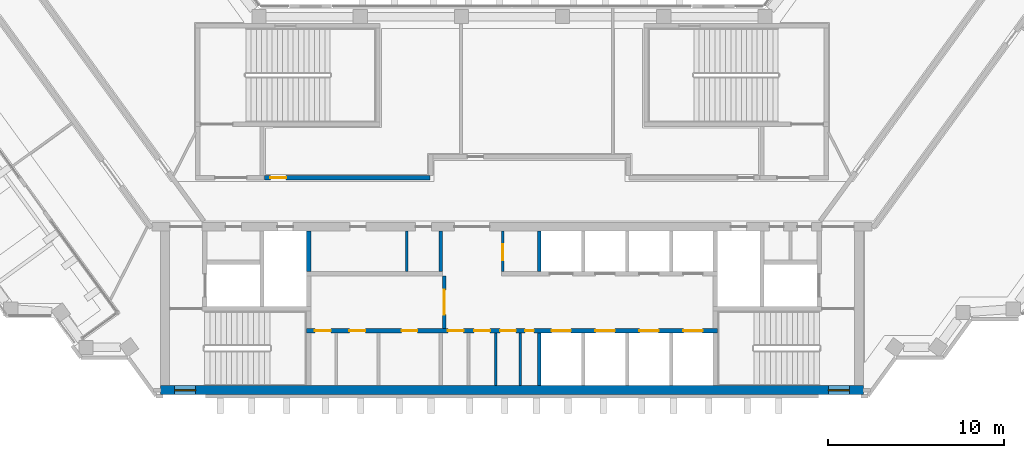
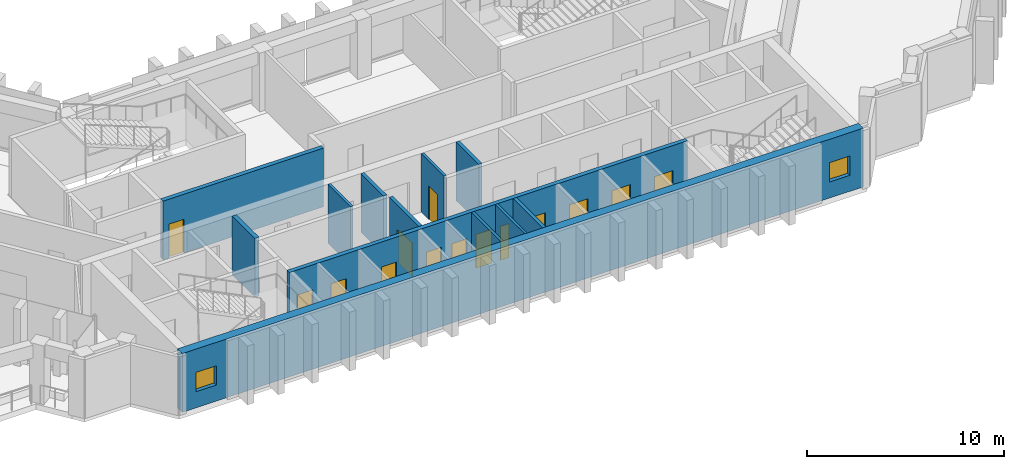
# One storey, part 6 of 12: 14 doors, 12 walls, 2 windows, 16 openings.
"""IFC4 building model written with IfcOpenShell, lengths in metres."""

from ifc_helpers import new_model, si_unit, direction, frame, frame_2d, origin, place, context, subcontext, project, spatial, rectangle, extrude, material, layer, layer_set, type_object, element, fill, save


model = new_model("IFC4")

# Units and contexts
model_context = context("Model", 3, precision=1e-05, world=origin(), true_north=direction((0.0, 1.0)))
body_context = subcontext(model_context, "Body", "Model", "MODEL_VIEW")
ifc_project = project(units=[si_unit("LENGTHUNIT", "METRE"), si_unit("AREAUNIT", "SQUARE_METRE"), si_unit("VOLUMEUNIT", "CUBIC_METRE"), si_unit("PLANEANGLEUNIT", "RADIAN"), si_unit("MASSUNIT", "GRAM", prefix="KILO")], contexts=[model_context])

# Site, building, storey
site_placement = place(None, origin())
site = spatial("IfcSite", under=ifc_project, at=site_placement, CompositionType="ELEMENT")
building_placement = place(site_placement, origin())
building = spatial("IfcBuilding", under=site, at=building_placement, Name="Quipu Civic Tower", CompositionType="ELEMENT")
storey_placement = place(building_placement, frame((0.0, 0.0, 164.0)))
storey = spatial("IfcBuildingStorey", under=building, at=storey_placement, Name="L38", CompositionType="ELEMENT", Elevation=164.0)

# Wall, openings, doors
ifc_material_1 = material(Name="Concrete C70/85", Category="concrete")
ifc_layer_1 = layer(ifc_material_1, 0.25)
ifc_layer_set_1 = layer_set([ifc_layer_1], Name="Concrete C70/85")
wall_type_1 = type_object("IfcWallType", Name="Core wall 250", PredefinedType="SHEAR", material=ifc_layer_set_1)
wall_1_placement = place(storey_placement, frame((11.699951171875, -7.375, 0.0), z_axis=(0.0, 0.0, 1.0), x_axis=(-1.0, 0.0, 0.0)))
wall_1 = element("IfcWall", 1, at=wall_1_placement, inside=storey, type_object=wall_type_1, Name="Core wall", PredefinedType="SHEAR", context=body_context, shape_type="SweptSolid", body=[
    extrude(rectangle(XDim=23.39990234375, YDim=0.25, at=frame_2d((11.699951171875, 0.0))), origin(), (0.0, 0.0, 1.0), 3.64990234375),
])
opening_1_placement = place(wall_1_placement, frame((22.011962890625, 0.0, 0.0)))
opening_1 = element("IfcOpeningElement", 2, at=opening_1_placement, cuts=wall_1, Name="Opening CD-01", PredefinedType="OPENING", context=body_context, shape_type="SweptSolid", body=[
    extrude(rectangle(XDim=0.89990234375, YDim=2.10009765625, at=frame_2d((0.449951171875, 1.050048828125))), frame((0.0, 0.135009765625, 0.0), z_axis=(0.0, -1.0, 0.0), x_axis=(1.0, 0.0, 0.0)), (0.0, 0.0, 1.0), 0.27001953125),
])
opening_2_placement = place(wall_1_placement, frame((20.050048828125, 0.0, 0.0)))
opening_2 = element("IfcOpeningElement", 3, at=opening_2_placement, cuts=wall_1, Name="Opening CD-02", PredefinedType="OPENING", context=body_context, shape_type="SweptSolid", body=[
    extrude(rectangle(XDim=0.89990234375, YDim=2.10009765625, at=frame_2d((0.449951171875, 1.050048828125))), frame((0.0, 0.135009765625, 0.0), z_axis=(0.0, -1.0, 0.0), x_axis=(1.0, 0.0, 0.0)), (0.0, 0.0, 1.0), 0.27001953125),
])
opening_3_placement = place(wall_1_placement, frame((17.087890625, 0.0, 0.0)))
opening_3 = element("IfcOpeningElement", 4, at=opening_3_placement, cuts=wall_1, Name="Opening CD-03", PredefinedType="OPENING", context=body_context, shape_type="SweptSolid", body=[
    extrude(rectangle(XDim=0.89990234375, YDim=2.10009765625, at=frame_2d((0.449951171875, 1.050048828125))), frame((0.0, 0.135009765625, 0.0), z_axis=(0.0, -1.0, 0.0), x_axis=(1.0, 0.0, 0.0)), (0.0, 0.0, 1.0), 0.27001953125),
])
opening_4_placement = place(wall_1_placement, frame((14.449951171875, 0.0, 0.0)))
opening_4 = element("IfcOpeningElement", 5, at=opening_4_placement, cuts=wall_1, Name="Opening CD-04", PredefinedType="OPENING", context=body_context, shape_type="SweptSolid", body=[
    extrude(rectangle(XDim=0.89990234375, YDim=2.10009765625, at=frame_2d((0.449951171875, 1.050048828125))), frame((0.0, 0.135009765625, 0.0), z_axis=(0.0, -1.0, 0.0), x_axis=(1.0, 0.0, 0.0)), (0.0, 0.0, 1.0), 0.27001953125),
])
opening_5_placement = place(wall_1_placement, frame((12.949951171875, 0.0, 0.0)))
opening_5 = element("IfcOpeningElement", 6, at=opening_5_placement, cuts=wall_1, Name="Opening CD-05", PredefinedType="OPENING", context=body_context, shape_type="SweptSolid", body=[
    extrude(rectangle(XDim=0.89990234375, YDim=2.10009765625, at=frame_2d((0.449951171875, 1.050048828125))), frame((0.0, 0.135009765625, 0.0), z_axis=(0.0, -1.0, 0.0), x_axis=(1.0, 0.0, 0.0)), (0.0, 0.0, 1.0), 0.27001953125),
])
opening_6_placement = place(wall_1_placement, frame((11.47509765625, 0.0, 0.0)))
opening_6 = element("IfcOpeningElement", 7, at=opening_6_placement, cuts=wall_1, Name="Opening CD-06", PredefinedType="OPENING", context=body_context, shape_type="SweptSolid", body=[
    extrude(rectangle(XDim=0.89990234375, YDim=2.10009765625, at=frame_2d((0.449951171875, 1.050048828125))), frame((0.0, 0.135009765625, 0.0), z_axis=(0.0, -1.0, 0.0), x_axis=(1.0, 0.0, 0.0)), (0.0, 0.0, 1.0), 0.27001953125),
])
opening_7_placement = place(wall_1_placement, frame((10.449951171875, 0.0, 0.0)))
opening_7 = element("IfcOpeningElement", 8, at=opening_7_placement, cuts=wall_1, Name="Opening CD-07", PredefinedType="OPENING", context=body_context, shape_type="SweptSolid", body=[
    extrude(rectangle(XDim=0.5, YDim=2.10009765625, at=frame_2d((0.25, 1.050048828125))), frame((0.0, 0.135009765625, 0.0), z_axis=(0.0, -1.0, 0.0), x_axis=(1.0, 0.0, 0.0)), (0.0, 0.0, 1.0), 0.27001953125),
])
opening_8_placement = place(wall_1_placement, frame((8.35009765625, 0.0, 0.0)))
opening_8 = element("IfcOpeningElement", 9, at=opening_8_placement, cuts=wall_1, Name="Opening LD-ML1", PredefinedType="OPENING", context=body_context, shape_type="SweptSolid", body=[
    extrude(rectangle(XDim=1.10009765625, YDim=2.10009765625, at=frame_2d((0.550048828125, 1.050048828125))), frame((0.0, 0.135009765625, 0.0), z_axis=(0.0, -1.0, 0.0), x_axis=(1.0, 0.0, 0.0)), (0.0, 0.0, 1.0), 0.27001953125),
])
opening_9_placement = place(wall_1_placement, frame((5.85009765625, 0.0, 0.0)))
opening_9 = element("IfcOpeningElement", 10, at=opening_9_placement, cuts=wall_1, Name="Opening LD-ML2", PredefinedType="OPENING", context=body_context, shape_type="SweptSolid", body=[
    extrude(rectangle(XDim=1.10009765625, YDim=2.10009765625, at=frame_2d((0.550048828125, 1.050048828125))), frame((0.0, 0.135009765625, 0.0), z_axis=(0.0, -1.0, 0.0), x_axis=(1.0, 0.0, 0.0)), (0.0, 0.0, 1.0), 0.27001953125),
])
opening_10_placement = place(wall_1_placement, frame((3.35009765625, 0.0, 0.0)))
opening_10 = element("IfcOpeningElement", 11, at=opening_10_placement, cuts=wall_1, Name="Opening LD-ML3", PredefinedType="OPENING", context=body_context, shape_type="SweptSolid", body=[
    extrude(rectangle(XDim=1.10009765625, YDim=2.10009765625, at=frame_2d((0.550048828125, 1.050048828125))), frame((0.0, 0.135009765625, 0.0), z_axis=(0.0, -1.0, 0.0), x_axis=(1.0, 0.0, 0.0)), (0.0, 0.0, 1.0), 0.27001953125),
])
opening_11_placement = place(wall_1_placement, frame((0.85009765625, 0.0, 0.0)))
opening_11 = element("IfcOpeningElement", 12, at=opening_11_placement, cuts=wall_1, Name="Opening LD-ML4", PredefinedType="OPENING", context=body_context, shape_type="SweptSolid", body=[
    extrude(rectangle(XDim=1.10009765625, YDim=2.10009765625, at=frame_2d((0.550048828125, 1.050048828125))), frame((0.0, 0.135009765625, 0.0), z_axis=(0.0, -1.0, 0.0), x_axis=(1.0, 0.0, 0.0)), (0.0, 0.0, 1.0), 0.27001953125),
])
ifc_material_2 = material(Name="Fire rated steel door", Category="steel")
door_type_1 = type_object("IfcDoorType", Name="Fire door FD60 500 x 2100", OperationType="NOTDEFINED", PredefinedType="DOOR", material=ifc_material_2)
door_1_placement = place(opening_7_placement, origin())
door_1 = element("IfcDoor", 13, at=door_1_placement, inside=storey, type_object=door_type_1, Name="Door", OperationType="SINGLE_SWING_LEFT", OverallHeight=2.10009765625, OverallWidth=0.5, PredefinedType="DOOR", context=body_context, shape_type="SweptSolid", body=[
    extrude(rectangle(XDim=0.5, YDim=2.10009765625, at=frame_2d((0.25, 1.050048828125))), frame((0.0, 0.02490234375, 0.0), z_axis=(0.0, -1.0, 0.0), x_axis=(1.0, 0.0, 0.0)), (0.0, 0.0, 1.0), 0.050048828125),
])
fill(opening_7, door_1)
ifc_material_3 = material(Name="Fire rated steel door", Category="steel")
door_type_2 = type_object("IfcDoorType", Name="Fire door FD60 900 x 2100", OperationType="NOTDEFINED", PredefinedType="DOOR", material=ifc_material_3)
door_2_placement = place(opening_1_placement, origin())
door_2 = element("IfcDoor", 14, at=door_2_placement, inside=storey, type_object=door_type_2, Name="Door", OperationType="SINGLE_SWING_RIGHT", OverallHeight=2.10009765625, OverallWidth=0.89990234375, PredefinedType="DOOR", context=body_context, shape_type="SweptSolid", body=[
    extrude(rectangle(XDim=0.89990234375, YDim=2.10009765625, at=frame_2d((0.449951171875, 1.050048828125))), frame((0.0, 0.02490234375, 0.0), z_axis=(0.0, -1.0, 0.0), x_axis=(1.0, 0.0, 0.0)), (0.0, 0.0, 1.0), 0.050048828125),
])
fill(opening_1, door_2)
door_3_placement = place(opening_2_placement, origin())
door_3 = element("IfcDoor", 15, at=door_3_placement, inside=storey, type_object=door_type_2, Name="Door", OperationType="SINGLE_SWING_RIGHT", OverallHeight=2.10009765625, OverallWidth=0.89990234375, PredefinedType="DOOR", context=body_context, shape_type="SweptSolid", body=[
    extrude(rectangle(XDim=0.89990234375, YDim=2.10009765625, at=frame_2d((0.449951171875, 1.050048828125))), frame((0.0, 0.02490234375, 0.0), z_axis=(0.0, -1.0, 0.0), x_axis=(1.0, 0.0, 0.0)), (0.0, 0.0, 1.0), 0.050048828125),
])
fill(opening_2, door_3)
door_4_placement = place(opening_3_placement, origin())
door_4 = element("IfcDoor", 16, at=door_4_placement, inside=storey, type_object=door_type_2, Name="Door", OperationType="SINGLE_SWING_RIGHT", OverallHeight=2.10009765625, OverallWidth=0.89990234375, PredefinedType="DOOR", context=body_context, shape_type="SweptSolid", body=[
    extrude(rectangle(XDim=0.89990234375, YDim=2.10009765625, at=frame_2d((0.449951171875, 1.050048828125))), frame((0.0, 0.02490234375, 0.0), z_axis=(0.0, -1.0, 0.0), x_axis=(1.0, 0.0, 0.0)), (0.0, 0.0, 1.0), 0.050048828125),
])
fill(opening_3, door_4)
door_5_placement = place(opening_4_placement, origin())
door_5 = element("IfcDoor", 17, at=door_5_placement, inside=storey, type_object=door_type_2, Name="WC door", OperationType="SINGLE_SWING_RIGHT", OverallHeight=2.10009765625, OverallWidth=0.89990234375, PredefinedType="DOOR", context=body_context, shape_type="SweptSolid", body=[
    extrude(rectangle(XDim=0.89990234375, YDim=2.10009765625, at=frame_2d((0.449951171875, 1.050048828125))), frame((0.0, 0.02490234375, 0.0), z_axis=(0.0, -1.0, 0.0), x_axis=(1.0, 0.0, 0.0)), (0.0, 0.0, 1.0), 0.050048828125),
])
fill(opening_4, door_5)
door_6_placement = place(opening_5_placement, origin())
door_6 = element("IfcDoor", 18, at=door_6_placement, inside=storey, type_object=door_type_2, Name="WC door", OperationType="SINGLE_SWING_RIGHT", OverallHeight=2.10009765625, OverallWidth=0.89990234375, PredefinedType="DOOR", context=body_context, shape_type="SweptSolid", body=[
    extrude(rectangle(XDim=0.89990234375, YDim=2.10009765625, at=frame_2d((0.449951171875, 1.050048828125))), frame((0.0, 0.02490234375, 0.0), z_axis=(0.0, -1.0, 0.0), x_axis=(1.0, 0.0, 0.0)), (0.0, 0.0, 1.0), 0.050048828125),
])
fill(opening_5, door_6)
door_7_placement = place(opening_6_placement, origin())
door_7 = element("IfcDoor", 19, at=door_7_placement, inside=storey, type_object=door_type_2, Name="WC door", OperationType="SINGLE_SWING_RIGHT", OverallHeight=2.10009765625, OverallWidth=0.89990234375, PredefinedType="DOOR", context=body_context, shape_type="SweptSolid", body=[
    extrude(rectangle(XDim=0.89990234375, YDim=2.10009765625, at=frame_2d((0.449951171875, 1.050048828125))), frame((0.0, 0.02490234375, 0.0), z_axis=(0.0, -1.0, 0.0), x_axis=(1.0, 0.0, 0.0)), (0.0, 0.0, 1.0), 0.050048828125),
])
fill(opening_6, door_7)
ifc_material_4 = material(Name="Stainless steel", Category="steel")
door_type_3 = type_object("IfcDoorType", Name="Lift landing door 1100 x 2100", OperationType="DOUBLE_DOOR_SLIDING", PredefinedType="DOOR", material=ifc_material_4)
door_8_placement = place(opening_8_placement, origin())
door_8 = element("IfcDoor", 20, at=door_8_placement, inside=storey, type_object=door_type_3, Name="Landing door ML1", OperationType="DOUBLE_DOOR_SLIDING", OverallHeight=2.10009765625, OverallWidth=1.10009765625, PredefinedType="DOOR", context=body_context, shape_type="SweptSolid", body=[
    extrude(rectangle(XDim=1.10009765625, YDim=2.10009765625, at=frame_2d((0.550048828125, 1.050048828125))), frame((0.0, 0.02490234375, 0.0), z_axis=(0.0, -1.0, 0.0), x_axis=(1.0, 0.0, 0.0)), (0.0, 0.0, 1.0), 0.050048828125),
])
fill(opening_8, door_8)
door_9_placement = place(opening_9_placement, origin())
door_9 = element("IfcDoor", 21, at=door_9_placement, inside=storey, type_object=door_type_3, Name="Landing door ML2", OperationType="DOUBLE_DOOR_SLIDING", OverallHeight=2.10009765625, OverallWidth=1.10009765625, PredefinedType="DOOR", context=body_context, shape_type="SweptSolid", body=[
    extrude(rectangle(XDim=1.10009765625, YDim=2.10009765625, at=frame_2d((0.550048828125, 1.050048828125))), frame((0.0, 0.02490234375, 0.0), z_axis=(0.0, -1.0, 0.0), x_axis=(1.0, 0.0, 0.0)), (0.0, 0.0, 1.0), 0.050048828125),
])
fill(opening_9, door_9)
door_10_placement = place(opening_10_placement, origin())
door_10 = element("IfcDoor", 22, at=door_10_placement, inside=storey, type_object=door_type_3, Name="Landing door ML3", OperationType="DOUBLE_DOOR_SLIDING", OverallHeight=2.10009765625, OverallWidth=1.10009765625, PredefinedType="DOOR", context=body_context, shape_type="SweptSolid", body=[
    extrude(rectangle(XDim=1.10009765625, YDim=2.10009765625, at=frame_2d((0.550048828125, 1.050048828125))), frame((0.0, 0.02490234375, 0.0), z_axis=(0.0, -1.0, 0.0), x_axis=(1.0, 0.0, 0.0)), (0.0, 0.0, 1.0), 0.050048828125),
])
fill(opening_10, door_10)
door_11_placement = place(opening_11_placement, origin())
door_11 = element("IfcDoor", 23, at=door_11_placement, inside=storey, type_object=door_type_3, Name="Landing door ML4", OperationType="DOUBLE_DOOR_SLIDING", OverallHeight=2.10009765625, OverallWidth=1.10009765625, PredefinedType="DOOR", context=body_context, shape_type="SweptSolid", body=[
    extrude(rectangle(XDim=1.10009765625, YDim=2.10009765625, at=frame_2d((0.550048828125, 1.050048828125))), frame((0.0, 0.02490234375, 0.0), z_axis=(0.0, -1.0, 0.0), x_axis=(1.0, 0.0, 0.0)), (0.0, 0.0, 1.0), 0.050048828125),
])
fill(opening_11, door_11)

# Wall
wall_2_placement = place(storey_placement, frame((-11.574951171875, -4.0, 0.0), z_axis=(0.0, 0.0, 1.0), x_axis=(0.0, 1.0, 0.0)))
element("IfcWall", 24, at=wall_2_placement, inside=storey, type_object=wall_type_1, Name="Core wall", PredefinedType="SHEAR", context=body_context, shape_type="SweptSolid", body=[
    extrude(rectangle(XDim=2.300048828125, YDim=0.25, at=frame_2d((1.14990234375, 0.0))), origin(), (0.0, 0.0, 1.0), 3.64990234375),
])

# Wall, openings, windows
ifc_material_5 = material(Name="Concrete C70/85", Category="concrete")
ifc_layer_2 = layer(ifc_material_5, 0.5)
ifc_layer_set_2 = layer_set([ifc_layer_2], Name="Concrete C70/85")
wall_type_2 = type_object("IfcWallType", Name="Core wall 500", PredefinedType="SHEAR", material=ifc_layer_set_2)
wall_3_placement = place(storey_placement, frame((-20.0, -10.75, 0.0), z_axis=(0.0, 0.0, 1.0), x_axis=(1.0, 0.0, 0.0)))
wall_3 = element("IfcWall", 25, at=wall_3_placement, inside=storey, type_object=wall_type_2, Name="Core wall", PredefinedType="SHEAR", context=body_context, shape_type="SweptSolid", body=[
    extrude(rectangle(XDim=40.0, YDim=0.5, at=frame_2d((20.0, 0.0))), origin(), (0.0, 0.0, 1.0), 3.64990234375),
])
opening_12_placement = place(wall_3_placement, frame((0.800048828125, 0.0, 1.0)))
opening_12 = element("IfcOpeningElement", 26, at=opening_12_placement, cuts=wall_3, Name="Opening SV-1", PredefinedType="OPENING", context=body_context, shape_type="SweptSolid", body=[
    extrude(rectangle(XDim=1.199951171875, YDim=1.199951171875, at=frame_2d((0.60009765625, 0.60009765625))), frame((0.0, 0.260009765625, 0.0), z_axis=(0.0, -1.0, 0.0), x_axis=(1.0, 0.0, 0.0)), (0.0, 0.0, 1.0), 0.52001953125),
])
opening_13_placement = place(wall_3_placement, frame((38.0, 0.0, 1.0)))
opening_13 = element("IfcOpeningElement", 27, at=opening_13_placement, cuts=wall_3, Name="Opening SV-2", PredefinedType="OPENING", context=body_context, shape_type="SweptSolid", body=[
    extrude(rectangle(XDim=1.199951171875, YDim=1.199951171875, at=frame_2d((0.60009765625, 0.60009765625))), frame((0.0, 0.260009765625, 0.0), z_axis=(0.0, -1.0, 0.0), x_axis=(1.0, 0.0, 0.0)), (0.0, 0.0, 1.0), 0.52001953125),
])
ifc_material_6 = material(Name="Aluminium louvre", Category="aluminium")
window_type = type_object("IfcWindowType", Name="Stair ventilation louvre 1200 x 1200", PartitioningType="SINGLE_PANEL", PredefinedType="WINDOW", material=ifc_material_6)
window_1_placement = place(opening_12_placement, origin())
window_1 = element("IfcWindow", 28, at=window_1_placement, inside=storey, type_object=window_type, Name="Stair ventilation opening", OverallHeight=1.199951171875, OverallWidth=1.199951171875, PartitioningType="SINGLE_PANEL", PredefinedType="WINDOW", context=body_context, shape_type="SweptSolid", body=[
    extrude(rectangle(XDim=1.199951171875, YDim=1.199951171875, at=frame_2d((0.60009765625, 0.60009765625))), frame((0.0, 0.030029296875, 0.0), z_axis=(0.0, -1.0, 0.0), x_axis=(1.0, 0.0, 0.0)), (0.0, 0.0, 1.0), 0.06005859375),
])
fill(opening_12, window_1)
window_2_placement = place(opening_13_placement, origin())
window_2 = element("IfcWindow", 29, at=window_2_placement, inside=storey, type_object=window_type, Name="Stair ventilation opening", OverallHeight=1.199951171875, OverallWidth=1.199951171875, PartitioningType="SINGLE_PANEL", PredefinedType="WINDOW", context=body_context, shape_type="SweptSolid", body=[
    extrude(rectangle(XDim=1.199951171875, YDim=1.199951171875, at=frame_2d((0.60009765625, 0.60009765625))), frame((0.0, 0.030029296875, 0.0), z_axis=(0.0, -1.0, 0.0), x_axis=(1.0, 0.0, 0.0)), (0.0, 0.0, 1.0), 0.06005859375),
])
fill(opening_13, window_2)

# Wall, opening, door
ifc_material_7 = material(Name="Concrete C50/60", Category="concrete")
ifc_layer_3 = layer(ifc_material_7, 0.25)
ifc_layer_set_3 = layer_set([ifc_layer_3], Name="Concrete C50/60")
wall_type_3 = type_object("IfcWallType", Name="Corridor wall 250 concrete", PredefinedType="SOLIDWALL", material=ifc_layer_set_3)
wall_4_placement = place(storey_placement, frame((-14.090087890625, 1.324951171875, 0.0), z_axis=(0.0, 0.0, 1.0), x_axis=(1.0, 0.0, 0.0)))
wall_4 = element("IfcWall", 30, at=wall_4_placement, inside=storey, type_object=wall_type_3, Name="Corridor wall C07", PredefinedType="SOLIDWALL", context=body_context, shape_type="SweptSolid", body=[
    extrude(rectangle(XDim=9.431396484375, YDim=0.25, at=frame_2d((4.7158203125, 0.0))), origin(), (0.0, 0.0, 1.0), 3.64990234375),
])
opening_14_placement = place(wall_4_placement, frame((0.340087890625, 0.0, 0.0)))
opening_14 = element("IfcOpeningElement", 31, at=opening_14_placement, cuts=wall_4, Name="Opening D007", PredefinedType="OPENING", context=body_context, shape_type="SweptSolid", body=[
    extrude(rectangle(XDim=0.89990234375, YDim=2.10009765625, at=frame_2d((0.449951171875, 1.050048828125))), frame((0.0, 0.135009765625, 0.0), z_axis=(0.0, -1.0, 0.0), x_axis=(1.0, 0.0, 0.0)), (0.0, 0.0, 1.0), 0.27001953125),
])
ifc_material_8 = material(Name="Fire rated timber door set with metal frame", Category="wood")
door_type_4 = type_object("IfcDoorType", Name="Single door 900 x 2100 FD60", OperationType="NOTDEFINED", PredefinedType="DOOR", material=ifc_material_8)
door_12_placement = place(opening_14_placement, origin())
door_12 = element("IfcDoor", 32, at=door_12_placement, inside=storey, type_object=door_type_4, Name="Door D007", OperationType="SINGLE_SWING_LEFT", OverallHeight=2.10009765625, OverallWidth=0.89990234375, PredefinedType="DOOR", context=body_context, shape_type="SweptSolid", body=[
    extrude(rectangle(XDim=0.89990234375, YDim=2.10009765625, at=frame_2d((0.449951171875, 1.050048828125))), frame((0.0, 0.02490234375, 0.0), z_axis=(0.0, -1.0, 0.0), x_axis=(1.0, 0.0, 0.0)), (0.0, 0.0, 1.0), 0.050048828125),
])
fill(opening_14, door_12)

# Walls
ifc_material_9 = material(Name="Gypsum board partition")
ifc_layer_4 = layer(ifc_material_9, 0.14990234375)
ifc_layer_set_4 = layer_set([ifc_layer_4], Name="Gypsum board partition")
wall_type_4 = type_object("IfcWallType", Name="Partition 150", PredefinedType="PARTITIONING", material=ifc_layer_set_4)
for number, where, z_axis, x_axis, name in (
    (33, (-0.925048828125, -10.5, 0.0), (0.0, 0.0, 1.0), (0.0, 1.0, 0.0), "Partition"),
    (34, (0.47509765625, -10.5, 0.0), (0.0, 0.0, 1.0), (0.0, 1.0, 0.0), "Partition"),
):
    element("IfcWall", number, at=place(storey_placement, frame(where, z_axis=z_axis, x_axis=x_axis)), inside=storey, type_object=wall_type_4, Name=name, PredefinedType="PARTITIONING", context=body_context, shape_type="SweptSolid", body=[
        extrude(rectangle(XDim=3.0, YDim=0.14990234375, at=frame_2d((1.5, 0.0))), origin(), (0.0, 0.0, 1.0), 3.64990234375),
    ])
wall_5_placement = place(storey_placement, frame((-6.0, -4.0, 0.0), z_axis=(0.0, 0.0, 1.0), x_axis=(0.0, 1.0, 0.0)))
element("IfcWall", 35, at=wall_5_placement, inside=storey, type_object=wall_type_4, Name="Partition", PredefinedType="PARTITIONING", context=body_context, shape_type="SweptSolid", body=[
    extrude(rectangle(XDim=2.300048828125, YDim=0.14990234375, at=frame_2d((1.14990234375, 0.0))), origin(), (0.0, 0.0, 1.0), 3.64990234375),
])

# Wall, opening, door
wall_6_placement = place(storey_placement, frame((-0.52490234375, -4.0, 0.0), z_axis=(0.0, 0.0, 1.0), x_axis=(0.0, 1.0, 0.0)))
wall_6 = element("IfcWall", 36, at=wall_6_placement, inside=storey, type_object=wall_type_4, Name="Partition", PredefinedType="PARTITIONING", context=body_context, shape_type="SweptSolid", body=[
    extrude(rectangle(XDim=2.300048828125, YDim=0.14990234375, at=frame_2d((1.14990234375, 0.0))), origin(), (0.0, 0.0, 1.0), 3.64990234375),
])
opening_15_placement = place(wall_6_placement, frame((0.64990234375, 0.0, 0.0)))
opening_15 = element("IfcOpeningElement", 37, at=opening_15_placement, cuts=wall_6, Name="Opening CD-11", PredefinedType="OPENING", context=body_context, shape_type="SweptSolid", body=[
    extrude(rectangle(XDim=0.89990234375, YDim=2.10009765625, at=frame_2d((0.449951171875, 1.050048828125))), frame((0.0, 0.0849609375, 0.0), z_axis=(0.0, -1.0, 0.0), x_axis=(1.0, 0.0, 0.0)), (0.0, 0.0, 1.0), 0.169921875),
])
door_13_placement = place(opening_15_placement, origin())
door_13 = element("IfcDoor", 38, at=door_13_placement, inside=storey, type_object=door_type_2, Name="WC door", OperationType="SINGLE_SWING_LEFT", OverallHeight=2.10009765625, OverallWidth=0.89990234375, PredefinedType="DOOR", context=body_context, shape_type="SweptSolid", body=[
    extrude(rectangle(XDim=0.89990234375, YDim=2.10009765625, at=frame_2d((0.449951171875, 1.050048828125))), frame((0.0, 0.02490234375, 0.0), z_axis=(0.0, -1.0, 0.0), x_axis=(1.0, 0.0, 0.0)), (0.0, 0.0, 1.0), 0.050048828125),
])
fill(opening_15, door_13)

# Wall
ifc_material_10 = material(Name="Concrete C40/50", Category="concrete")
ifc_layer_5 = layer(ifc_material_10, 0.199951171875)
ifc_layer_set_5 = layer_set([ifc_layer_5], Name="Concrete C40/50")
wall_type_5 = type_object("IfcWallType", Name="Shaft wall 200", PredefinedType="SOLIDWALL", material=ifc_layer_set_5)
wall_7_placement = place(storey_placement, frame((1.550048828125, -10.5, 0.0), z_axis=(0.0, 0.0, 1.0), x_axis=(0.0, 1.0, 0.0)))
element("IfcWall", 39, at=wall_7_placement, inside=storey, type_object=wall_type_5, Name="Shaft wall", PredefinedType="SOLIDWALL", context=body_context, shape_type="SweptSolid", body=[
    extrude(rectangle(XDim=3.0, YDim=0.199951171875, at=frame_2d((1.5, 0.0))), origin(), (0.0, 0.0, 1.0), 3.64990234375),
])

# Wall, opening, door
wall_8_placement = place(storey_placement, frame((-3.85009765625, -4.25, 0.0), z_axis=(0.0, 0.0, 1.0), x_axis=(0.0, -1.0, 0.0)))
wall_8 = element("IfcWall", 40, at=wall_8_placement, inside=storey, type_object=wall_type_5, Name="Shaft wall", PredefinedType="SOLIDWALL", context=body_context, shape_type="SweptSolid", body=[
    extrude(rectangle(XDim=3.0, YDim=0.199951171875, at=frame_2d((1.5, 0.0))), origin(), (0.0, 0.0, 1.0), 3.64990234375),
])
opening_16_placement = place(wall_8_placement, frame((0.800048828125, 0.0, 0.0)))
opening_16 = element("IfcOpeningElement", 41, at=opening_16_placement, cuts=wall_8, Name="Opening CD-10", PredefinedType="OPENING", context=body_context, shape_type="SweptSolid", body=[
    extrude(rectangle(XDim=1.39990234375, YDim=2.10009765625, at=frame_2d((0.699951171875, 1.050048828125))), frame((0.0, 0.10986328125, 0.0), z_axis=(0.0, -1.0, 0.0), x_axis=(1.0, 0.0, 0.0)), (0.0, 0.0, 1.0), 0.219970703125),
])
ifc_material_11 = material(Name="Fire rated steel door", Category="steel")
door_type_5 = type_object("IfcDoorType", Name="Fire door FD60 double 1400 x 2100", OperationType="NOTDEFINED", PredefinedType="DOOR", material=ifc_material_11)
door_14_placement = place(opening_16_placement, origin())
door_14 = element("IfcDoor", 42, at=door_14_placement, inside=storey, type_object=door_type_5, Name="Hall door", OperationType="DOUBLE_DOOR_SINGLE_SWING", OverallHeight=2.10009765625, OverallWidth=1.39990234375, PredefinedType="DOOR", context=body_context, shape_type="SweptSolid", body=[
    extrude(rectangle(XDim=1.39990234375, YDim=2.10009765625, at=frame_2d((0.699951171875, 1.050048828125))), frame((0.0, 0.02490234375, 0.0), z_axis=(0.0, -1.0, 0.0), x_axis=(1.0, 0.0, 0.0)), (0.0, 0.0, 1.0), 0.050048828125),
])
fill(opening_16, door_14)

# Walls
for number, where, z_axis, x_axis, name in (
    (43, (-4.050048828125, -4.0, 0.0), (0.0, 0.0, 1.0), (0.0, 1.0, 0.0), "Shaft wall"),
    (44, (1.550048828125, -4.0, 0.0), (0.0, 0.0, 1.0), (0.0, 1.0, 0.0), "Shaft wall"),
):
    element("IfcWall", number, at=place(storey_placement, frame(where, z_axis=z_axis, x_axis=x_axis)), inside=storey, type_object=wall_type_5, Name=name, PredefinedType="SOLIDWALL", context=body_context, shape_type="SweptSolid", body=[
        extrude(rectangle(XDim=2.300048828125, YDim=0.199951171875, at=frame_2d((1.14990234375, 0.0))), origin(), (0.0, 0.0, 1.0), 3.64990234375),
    ])

save(model, "model.ifc")
